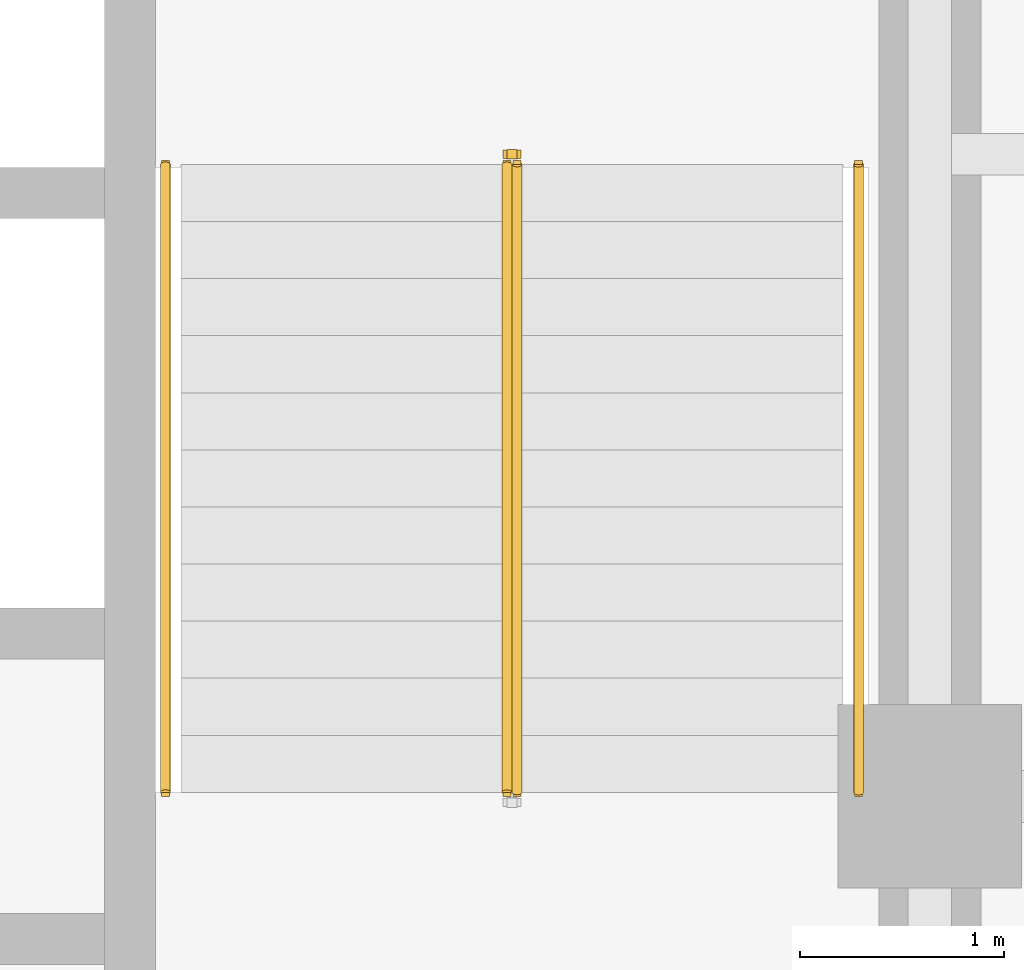
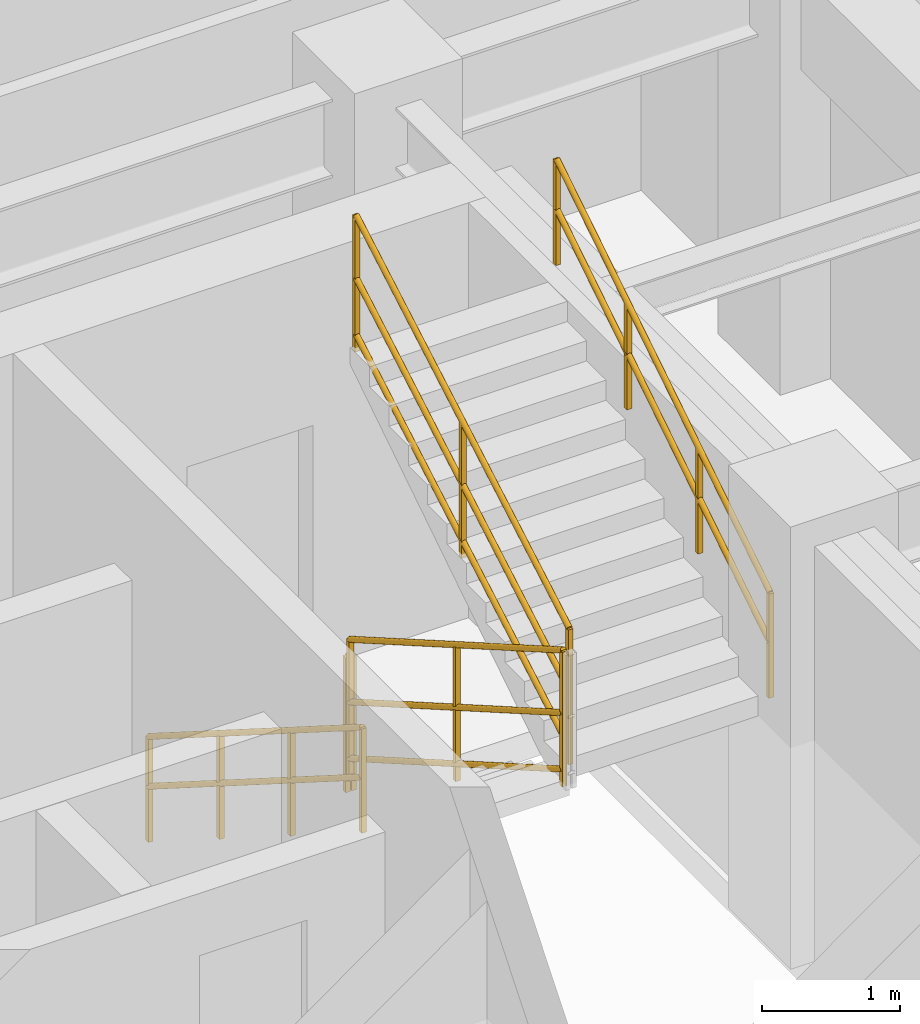
# One storey, part 10 of 11: 5 railings.
"""IFC4 building model written with IfcOpenShell, lengths in metres."""

from ifc_helpers import new_model, entity, si_unit, converted_unit, direction, frame, origin_with_axes, origin_2d_with_axis, place, context, subcontext, project, spatial, rectangle, circle, extrude, material, type_object, element, save


model = new_model("IFC4")

# Units and contexts
model_context = context("Model", 3, precision=1e-05, world=origin_with_axes(), true_north=direction((0.0, 1.0)))
body_context = subcontext(model_context, "Body", "Model", "MODEL_VIEW")
ifc_project = project(units=[si_unit("LENGTHUNIT", "METRE"), si_unit("AREAUNIT", "SQUARE_METRE"), si_unit("VOLUMEUNIT", "CUBIC_METRE"), converted_unit("PLANEANGLEUNIT", "DEGREE", entity("IfcPlaneAngleMeasure", 0.017453292519943295), si_unit("PLANEANGLEUNIT", "RADIAN"), dimensions=[0, 0, 0, 0, 0, 0, 0]), si_unit("MASSUNIT", "GRAM", prefix="KILO"), si_unit("THERMODYNAMICTEMPERATUREUNIT", "KELVIN")], contexts=[model_context])

# Site, building, storey
site_placement = place(None, origin_with_axes())
site = spatial("IfcSite", under=ifc_project, at=site_placement, CompositionType="ELEMENT")
building_placement = place(site_placement, origin_with_axes())
building = spatial("IfcBuilding", under=site, at=building_placement, Name="Varnlund Millrace Tower", CompositionType="ELEMENT")
storey_placement = place(building_placement, frame((0.0, 0.0, 212.1), z_axis=(0.0, 0.0, 1.0), x_axis=(1.0, 0.0, 0.0)))
storey = spatial("IfcBuildingStorey", under=building, at=storey_placement, Name="L52", CompositionType="ELEMENT", Elevation=212.1)

# Railings
ifc_material_1 = material(Name="Painted steel stair well balustrade guard", Category="steel")
railing_type_1 = type_object("IfcRailingType", Name="Type-StairGuard-1150", PredefinedType="GUARDRAIL", material=ifc_material_1)
railing_1_placement = place(storey_placement, frame((0.0, 0.0, -212.1), z_axis=(0.0, 0.0, 1.0), x_axis=(1.0, 0.0, 0.0)))
element("IfcRailing", 1, at=railing_1_placement, inside=storey, type_object=railing_type_1, Name="Type-StairGuard-1150", PredefinedType="GUARDRAIL", context=body_context, shape_type="SweptSolid", body=[
    extrude(circle(Radius=0.024, at=origin_2d_with_axis()), frame((45.975, 21.1, 213.427273), z_axis=(0.0, -0.866696, 0.498836), x_axis=(1.0, 0.0, 0.0)), (0.0, 0.0, 1.0), 3.553725),
    extrude(circle(Radius=0.024, at=origin_2d_with_axis()), frame((45.975, 21.1, 212.377273), z_axis=(0.0, -0.866696, 0.498836), x_axis=(1.0, 0.0, 0.0)), (0.0, 0.0, 1.0), 3.553725),
    extrude(circle(Radius=0.024, at=origin_2d_with_axis()), frame((45.975, 21.1, 212.875273), z_axis=(0.0, -0.866696, 0.498836), x_axis=(1.0, 0.0, 0.0)), (0.0, 0.0, 1.0), 3.553725),
    extrude(rectangle(XDim=0.04, YDim=0.04, at=origin_2d_with_axis()), frame((45.975, 21.1, 212.237273), z_axis=(0.0, 0.0, 1.0), x_axis=(1.0, 0.0, 0.0)), (0.0, 0.0, 1.0), 1.19),
    extrude(rectangle(XDim=0.04, YDim=0.04, at=origin_2d_with_axis()), frame((45.975, 19.56, 213.123636), z_axis=(0.0, 0.0, 1.0), x_axis=(1.0, 0.0, 0.0)), (0.0, 0.0, 1.0), 1.19),
    extrude(rectangle(XDim=0.04, YDim=0.04, at=origin_2d_with_axis()), frame((45.975, 18.02, 214.01), z_axis=(0.0, 0.0, 1.0), x_axis=(1.0, 0.0, 0.0)), (0.0, 0.0, 1.0), 1.19),
])
railing_2_placement = place(storey_placement, frame((0.0, 0.0, -212.1), z_axis=(0.0, 0.0, 1.0), x_axis=(1.0, 0.0, 0.0)))
element("IfcRailing", 2, at=railing_2_placement, inside=storey, type_object=railing_type_1, Name="Type-StairGuard-1150", PredefinedType="GUARDRAIL", context=body_context, shape_type="SweptSolid", body=[
    extrude(circle(Radius=0.024, at=origin_2d_with_axis()), frame((46.025, 18.02, 215.377273), z_axis=(0.0, 0.866696, 0.498836), x_axis=(-1.0, 0.0, 0.0)), (0.0, 0.0, 1.0), 3.553725),
    extrude(circle(Radius=0.024, at=origin_2d_with_axis()), frame((46.025, 18.02, 214.327273), z_axis=(0.0, 0.866696, 0.498836), x_axis=(-1.0, 0.0, 0.0)), (0.0, 0.0, 1.0), 3.553725),
    extrude(circle(Radius=0.024, at=origin_2d_with_axis()), frame((46.025, 18.02, 214.825273), z_axis=(0.0, 0.866696, 0.498836), x_axis=(-1.0, 0.0, 0.0)), (0.0, 0.0, 1.0), 3.553725),
    extrude(rectangle(XDim=0.04, YDim=0.04, at=origin_2d_with_axis()), frame((46.025, 18.02, 214.187273), z_axis=(0.0, 0.0, 1.0), x_axis=(1.0, 0.0, 0.0)), (0.0, 0.0, 1.0), 1.19),
    extrude(rectangle(XDim=0.04, YDim=0.04, at=origin_2d_with_axis()), frame((46.025, 19.56, 215.073636), z_axis=(0.0, 0.0, 1.0), x_axis=(1.0, 0.0, 0.0)), (0.0, 0.0, 1.0), 1.19),
    extrude(rectangle(XDim=0.04, YDim=0.04, at=origin_2d_with_axis()), frame((46.025, 21.1, 215.96), z_axis=(0.0, 0.0, 1.0), x_axis=(1.0, 0.0, 0.0)), (0.0, 0.0, 1.0), 1.19),
])
railing_3_placement = place(storey_placement, frame((0.0, 0.0, -212.1), z_axis=(0.0, 0.0, 1.0), x_axis=(1.0, 0.0, 0.0)))
element("IfcRailing", 3, at=railing_3_placement, inside=storey, type_object=railing_type_1, Name="Type-StairGuard-1150", PredefinedType="GUARDRAIL", context=body_context, shape_type="SweptSolid", body=[
    extrude(circle(Radius=0.024, at=origin_2d_with_axis()), frame((46.025, 21.15, 213.25), z_axis=(-1.0, 0.0, 0.0), x_axis=(0.0, -1.0, 0.0)), (0.0, 0.0, 1.0), 0.05),
    extrude(circle(Radius=0.024, at=origin_2d_with_axis()), frame((46.025, 21.15, 212.2), z_axis=(-1.0, 0.0, 0.0), x_axis=(0.0, -1.0, 0.0)), (0.0, 0.0, 1.0), 0.05),
    extrude(circle(Radius=0.024, at=origin_2d_with_axis()), frame((46.025, 21.15, 212.698), z_axis=(-1.0, 0.0, 0.0), x_axis=(0.0, -1.0, 0.0)), (0.0, 0.0, 1.0), 0.05),
    extrude(rectangle(XDim=0.04, YDim=0.04, at=origin_2d_with_axis()), frame((46.025, 21.15, 212.06), z_axis=(0.0, 0.0, 1.0), x_axis=(1.0, 0.0, 0.0)), (0.0, 0.0, 1.0), 1.19),
    extrude(rectangle(XDim=0.04, YDim=0.04, at=origin_2d_with_axis()), frame((45.975, 21.15, 212.06), z_axis=(0.0, 0.0, 1.0), x_axis=(1.0, 0.0, 0.0)), (0.0, 0.0, 1.0), 1.19),
])
ifc_material_2 = material(Name="Brushed architectural bronze stair handrail", Category="aluminium")
railing_type_2 = type_object("IfcRailingType", Name="Type-StairHandrail-900", PredefinedType="HANDRAIL", material=ifc_material_2)
railing_4_placement = place(storey_placement, frame((0.0, 0.0, -212.1), z_axis=(0.0, 0.0, 1.0), x_axis=(1.0, 0.0, 0.0)))
element("IfcRailing", 4, at=railing_4_placement, inside=storey, type_object=railing_type_2, Name="Type-StairHandrail-900", PredefinedType="HANDRAIL", context=body_context, shape_type="SweptSolid", body=[
    extrude(circle(Radius=0.024, at=origin_2d_with_axis()), frame((44.3, 21.1, 213.156995), z_axis=(0.0, -0.844902, 0.534922), x_axis=(1.0, 0.0, 0.0)), (0.0, 0.0, 1.0), 3.645394),
    extrude(circle(Radius=0.024, at=origin_2d_with_axis()), frame((44.3, 21.1, 212.717134), z_axis=(0.0, -0.844902, 0.534922), x_axis=(1.0, 0.0, 0.0)), (0.0, 0.0, 1.0), 3.645394),
    extrude(rectangle(XDim=0.04, YDim=0.04, at=origin_2d_with_axis()), frame((44.3, 21.1, 212.237273), z_axis=(0.0, 0.0, 1.0), x_axis=(1.0, 0.0, 0.0)), (0.0, 0.0, 1.0), 0.919722),
    extrude(rectangle(XDim=0.04, YDim=0.04, at=origin_2d_with_axis()), frame((44.3, 20.073333, 212.887273), z_axis=(0.0, 0.0, 1.0), x_axis=(1.0, 0.0, 0.0)), (0.0, 0.0, 1.0), 0.919722),
    extrude(rectangle(XDim=0.04, YDim=0.04, at=origin_2d_with_axis()), frame((44.3, 19.046667, 213.537273), z_axis=(0.0, 0.0, 1.0), x_axis=(1.0, 0.0, 0.0)), (0.0, 0.0, 1.0), 0.919722),
    extrude(rectangle(XDim=0.04, YDim=0.04, at=origin_2d_with_axis()), frame((44.3, 18.02, 214.187273), z_axis=(0.0, 0.0, 1.0), x_axis=(1.0, 0.0, 0.0)), (0.0, 0.0, 1.0), 0.919722),
])
railing_5_placement = place(storey_placement, frame((0.0, 0.0, -212.1), z_axis=(0.0, 0.0, 1.0), x_axis=(1.0, 0.0, 0.0)))
element("IfcRailing", 5, at=railing_5_placement, inside=storey, type_object=railing_type_2, Name="Type-StairHandrail-900", PredefinedType="HANDRAIL", context=body_context, shape_type="SweptSolid", body=[
    extrude(circle(Radius=0.024, at=origin_2d_with_axis()), frame((47.7, 18.02, 215.106995), z_axis=(0.0, 0.844902, 0.534922), x_axis=(-1.0, 0.0, 0.0)), (0.0, 0.0, 1.0), 3.645394),
    extrude(circle(Radius=0.024, at=origin_2d_with_axis()), frame((47.7, 18.02, 214.667134), z_axis=(0.0, 0.844902, 0.534922), x_axis=(-1.0, 0.0, 0.0)), (0.0, 0.0, 1.0), 3.645394),
    extrude(rectangle(XDim=0.04, YDim=0.04, at=origin_2d_with_axis()), frame((47.7, 18.02, 214.187273), z_axis=(0.0, 0.0, 1.0), x_axis=(1.0, 0.0, 0.0)), (0.0, 0.0, 1.0), 0.919722),
    extrude(rectangle(XDim=0.04, YDim=0.04, at=origin_2d_with_axis()), frame((47.7, 19.046667, 214.837273), z_axis=(0.0, 0.0, 1.0), x_axis=(1.0, 0.0, 0.0)), (0.0, 0.0, 1.0), 0.919722),
    extrude(rectangle(XDim=0.04, YDim=0.04, at=origin_2d_with_axis()), frame((47.7, 20.073333, 215.487273), z_axis=(0.0, 0.0, 1.0), x_axis=(1.0, 0.0, 0.0)), (0.0, 0.0, 1.0), 0.919722),
    extrude(rectangle(XDim=0.04, YDim=0.04, at=origin_2d_with_axis()), frame((47.7, 21.1, 216.137273), z_axis=(0.0, 0.0, 1.0), x_axis=(1.0, 0.0, 0.0)), (0.0, 0.0, 1.0), 0.919722),
])

save(model, "model.ifc")
